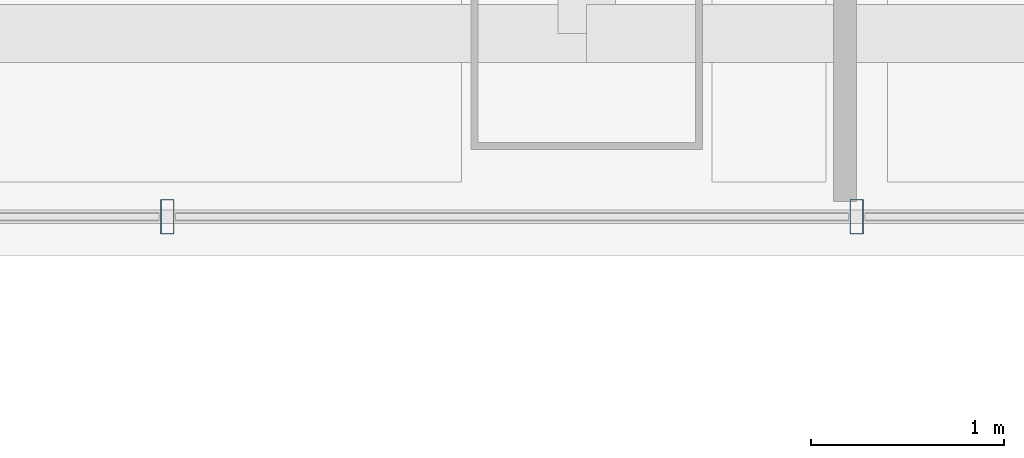
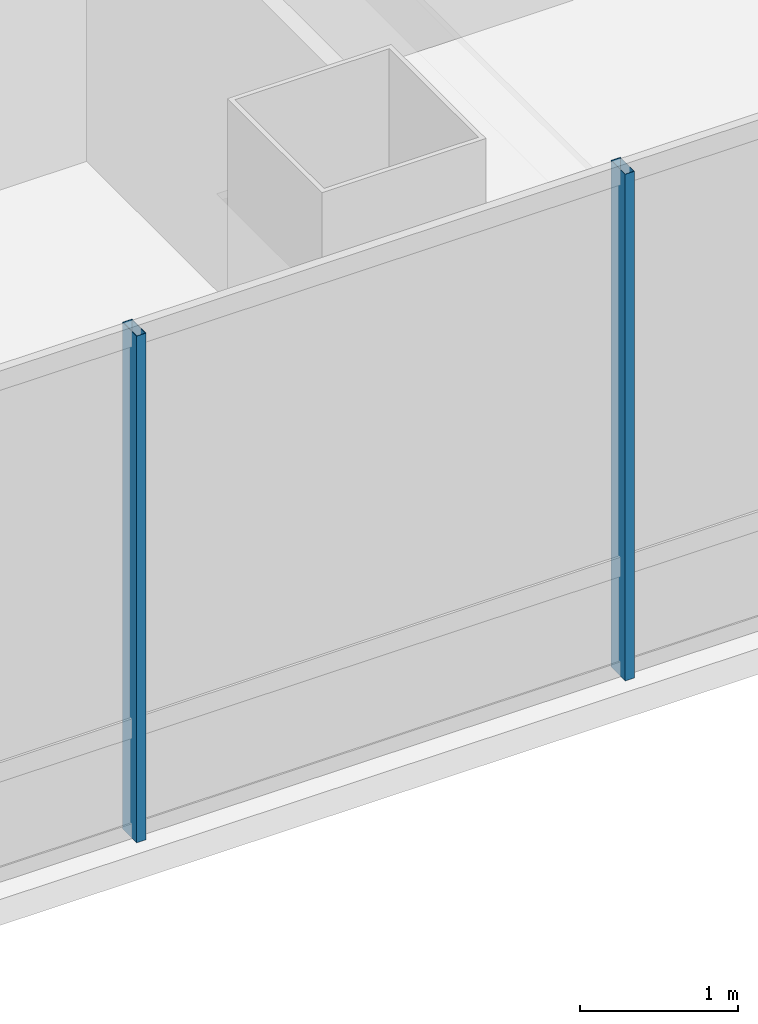
# One storey, part 6 of 51: 2 members, 1 element without a shape of its own.
"""IFC4 building model written with IfcOpenShell, lengths in metres."""

import ifcopenshell
import ifcopenshell.guid

model = None  # the IFC model being written
_history = None  # IfcOwnerHistory: only IFC2X3 demands one
_inside = {}  # id of a spatial element -> (the spatial element, [elements in it])
_under = {}  # id of a project, library or spatial element -> (it, [spatial elements below it])
_declared = {}  # id of a project -> (the project, [libraries it declares])
_typed = {}  # id of a type object -> (the type object, [elements of that type])
_made_of = {}  # id of a material, layer set ... -> (it, [elements and type objects made of it])


def new_model(schema):
    """Start an empty IFC model of exactly this schema.

    Asked for "IFC4X3", IfcOpenShell would pick the latest addendum, in which some entities
    have other attributes; the version numbers below select the first issue.
    IFC2X3 requires an IfcOwnerHistory on every rooted entity: one is made here for all.
    """
    global model, _history
    if schema == "IFC4X3":
        model = ifcopenshell.file(schema_version=(4, 3, 0, 0))
    else:
        model = ifcopenshell.file(schema=schema)
    _inside.clear()
    _under.clear()
    _declared.clear()
    _typed.clear()
    _made_of.clear()
    _history = None
    if model.schema == "IFC2X3":
        org = make("IfcOrganization", Name="unknown")
        user = make(
            "IfcPersonAndOrganization",
            ThePerson=make("IfcPerson", FamilyName="unknown"),
            TheOrganization=org,
        )
        app = make(
            "IfcApplication",
            ApplicationDeveloper=org,
            Version="unknown",
            ApplicationFullName="unknown",
            ApplicationIdentifier="unknown",
        )
        _history = make(
            "IfcOwnerHistory",
            OwningUser=user,
            OwningApplication=app,
            ChangeAction="ADDED",
            CreationDate=0,
        )
    return model


def make(cls, **values):
    """One entity of the class cls with the attributes given. An attribute that is None is left unset."""
    return model.create_entity(
        cls, **{name: value for name, value in values.items() if value is not None}
    )


def rooted(cls, **values):
    """An entity with a GlobalId (a new one), such as an element, a storey or a relation."""
    return make(cls, GlobalId=ifcopenshell.guid.new(), OwnerHistory=_history, **values)


def si_unit(unit_type, name, prefix=None):
    """IfcSIUnit, for example si_unit("LENGTHUNIT", "METRE", prefix="MILLI")."""
    return make("IfcSIUnit", UnitType=unit_type, Prefix=prefix, Name=name)


def assignment(units):
    """IfcUnitAssignment: the units of a project."""
    return None if units is None else make("IfcUnitAssignment", Units=units)


def point(xyz):
    """IfcCartesianPoint."""
    return None if xyz is None else make("IfcCartesianPoint", Coordinates=xyz)


def direction(xyz):
    """IfcDirection."""
    return None if xyz is None else make("IfcDirection", DirectionRatios=xyz)


def frame(location, z_axis=None, x_axis=None):
    """IfcAxis2Placement3D, a coordinate frame: its origin and axes. An axis left out is left unset."""
    return make(
        "IfcAxis2Placement3D",
        Location=point(location),
        Axis=direction(z_axis),
        RefDirection=direction(x_axis),
    )


def frame_2d(location, x_axis=None):
    """IfcAxis2Placement2D, a coordinate frame in the plane: its origin and x axis."""
    return make(
        "IfcAxis2Placement2D", Location=point(location), RefDirection=direction(x_axis)
    )


def origin():
    """The frame at (0, 0, 0) with its axes left unset."""
    return frame((0.0, 0.0, 0.0))


def origin_2d():
    """The frame at (0, 0) in the plane with its x axis left unset."""
    return frame_2d((0.0, 0.0))


def place(relative_to, where):
    """IfcLocalPlacement: puts the frame where relative to a parent placement (None: the world)."""
    return make(
        "IfcLocalPlacement", PlacementRelTo=relative_to, RelativePlacement=where
    )


def context(
    kind, dimensions, precision=None, world=None, true_north=None, identifier=None
):
    """IfcGeometricRepresentationContext, for example the 3D "Model" context."""
    return make(
        "IfcGeometricRepresentationContext",
        ContextIdentifier=identifier,
        ContextType=kind,
        CoordinateSpaceDimension=dimensions,
        Precision=precision,
        WorldCoordinateSystem=world,
        TrueNorth=true_north,
    )


def subcontext(parent, identifier, kind, view, scale=None):
    """IfcGeometricRepresentationSubContext, for example "Body" below "Model"."""
    return make(
        "IfcGeometricRepresentationSubContext",
        ContextIdentifier=identifier,
        ContextType=kind,
        ParentContext=parent,
        TargetScale=scale,
        TargetView=view,
    )


def project(units=None, contexts=None):
    """IfcProject with its units and contexts."""
    return rooted(
        "IfcProject",
        Name="project",
        RepresentationContexts=contexts,
        UnitsInContext=assignment(units),
    )


def spatial(cls, under=None, at=None, **own):
    """A site, building, storey or space (cls), placed at a placement, below another one or the project."""
    s = rooted(cls, ObjectPlacement=at, **own)
    if under is not None:
        _under.setdefault(under.id(), (under, []))[1].append(s)
    return s


def profile(cls, at=None, kind="AREA", **sizes):
    """A parametric profile (cls). Its sizes go by their IFC names, for example OverallWidth=200.0."""
    return make(cls, ProfileType=kind, Position=at, **sizes)


def hollow_rectangle(**sizes):
    """IfcRectangleHollowProfileDef."""
    return profile("IfcRectangleHollowProfileDef", **sizes)


def extrude(swept, where, along, depth):
    """IfcExtrudedAreaSolid: the profile swept, set in the frame where, extruded along a direction by depth."""
    return make(
        "IfcExtrudedAreaSolid",
        SweptArea=swept,
        Position=where,
        ExtrudedDirection=direction(along),
        Depth=depth,
    )


def shape(context_of_items, identifier, shape_type, items):
    """IfcShapeRepresentation: the items that make up one representation, for example the "Body"."""
    return make(
        "IfcShapeRepresentation",
        ContextOfItems=context_of_items,
        RepresentationIdentifier=identifier,
        RepresentationType=shape_type,
        Items=items,
    )


def material(Name=None, Category=None):
    """IfcMaterial."""
    return make("IfcMaterial", Name=Name, Category=Category)


def material_profile(
    of_material, cross_section, Name=None, Category=None, Priority=None
):
    """IfcMaterialProfile: a cross section and its material."""
    return make(
        "IfcMaterialProfile",
        Name=Name,
        Material=of_material,
        Profile=cross_section,
        Priority=Priority,
        Category=Category,
    )


def profile_set(profiles, Name=None, composite=None):
    """IfcMaterialProfileSet."""
    return make(
        "IfcMaterialProfileSet",
        Name=Name,
        MaterialProfiles=profiles,
        CompositeProfile=composite,
    )


def made_of(thing, what):
    """Note that an element or type object is made of a material, layer set ...; save() writes the relation."""
    if what is not None:
        _made_of.setdefault(what.id(), (what, []))[1].append(thing)
    return thing


def type_object(cls, material=None, **own):
    """A type object (cls), such as IfcWallType, which elements share."""
    return made_of(rooted(cls, **own), material)


def element(
    cls,
    number,
    at=None,
    inside=None,
    cuts=None,
    type_object=None,
    material=None,
    context=None,
    identifier="Body",
    shape_type=None,
    held_by="IfcProductDefinitionShape",
    body=None,
    shapes=None,
    **own,
):
    """One element of the class cls, such as IfcWall. Its Tag is "e" and its number.

    at: its placement. inside: the storey or other place that contains it. cuts: it is an
    opening in that element (IfcRelVoidsElement). A single representation is given by context,
    identifier, shape_type and body (its items); several are given by shapes. held_by: the class
    of the entity that holds the representations. save() writes the other relations.
    """
    e = rooted(cls, Tag="e%d" % number, ObjectPlacement=at, **own)
    if body is not None:
        shapes = [shape(context, identifier, shape_type, body)]
    if shapes is not None:
        e.Representation = make(held_by, Representations=shapes)
    if inside is not None:
        _inside.setdefault(inside.id(), (inside, []))[1].append(e)
    if cuts is not None:
        rooted(
            "IfcRelVoidsElement", RelatingBuildingElement=cuts, RelatedOpeningElement=e
        )
    if type_object is not None:
        _typed.setdefault(type_object.id(), (type_object, []))[1].append(e)
    return made_of(e, material)


def aggregate(whole, parts):
    """IfcRelAggregates: a whole, such as a stair, and the parts it consists of."""
    return rooted("IfcRelAggregates", RelatingObject=whole, RelatedObjects=parts)


def save(model, path):
    """Write the relations noted so far, then the file.

    IfcRelAggregates (storeys below a building ...), IfcRelContainedInSpatialStructure (elements
    in a storey), IfcRelDefinesByType, IfcRelAssociatesMaterial and IfcRelDeclares: one each for
    every whole, place, type object, material and project.
    """
    for whole, parts in _under.values():
        aggregate(whole, parts)
    for where, things in _inside.values():
        rooted(
            "IfcRelContainedInSpatialStructure",
            RelatedElements=things,
            RelatingStructure=where,
        )
    for kind, things in _typed.values():
        rooted("IfcRelDefinesByType", RelatedObjects=things, RelatingType=kind)
    for what, things in _made_of.values():
        rooted("IfcRelAssociatesMaterial", RelatedObjects=things, RelatingMaterial=what)
    for by, libraries in _declared.values():
        rooted("IfcRelDeclares", RelatingContext=by, RelatedDefinitions=libraries)
    model.write(path)


model = new_model("IFC4")

# Units and contexts
model_context = context("Model", 3, precision=1e-05, world=origin(), true_north=direction((0.0, 1.0)))
body_context = subcontext(model_context, "Body", "Model", "MODEL_VIEW")
ifc_project = project(units=[si_unit("LENGTHUNIT", "METRE"), si_unit("AREAUNIT", "SQUARE_METRE"), si_unit("VOLUMEUNIT", "CUBIC_METRE"), si_unit("PLANEANGLEUNIT", "RADIAN"), si_unit("MASSUNIT", "GRAM", prefix="KILO")], contexts=[model_context])

# Site, building, storey
site_placement = place(None, origin())
site = spatial("IfcSite", under=ifc_project, at=site_placement, CompositionType="ELEMENT")
building_placement = place(site_placement, origin())
building = spatial("IfcBuilding", under=site, at=building_placement, Name="Punatoya Terracotta Tower", CompositionType="ELEMENT")
storey_placement = place(building_placement, frame((0.0, 0.0, 313.199951171875)))
storey = spatial("IfcBuildingStorey", under=building, at=storey_placement, Name="L74", CompositionType="ELEMENT", Elevation=313.199951171875)

# Curtain wall, members
ifc_material_1 = material(Name="Aluminium 6063-T6 + Double Low-E Glass", Category="aluminium")
curtain_wall_type = type_object("IfcCurtainWallType", Name="CW-M3", PredefinedType="NOTDEFINED", material=ifc_material_1)
curtain_wall_placement = place(storey_placement, origin())
curtain_wall = element("IfcCurtainWall", 1, at=curtain_wall_placement, inside=storey, type_object=curtain_wall_type, Name="L74 Curtain Wall CW-L74-S01-1", PredefinedType="NOTDEFINED")
ifc_material_2 = material(Name="Aluminium 6063-T6", Category="aluminium")
ifc_material_profile = material_profile(ifc_material_2, hollow_rectangle(XDim=0.070068359375, YDim=0.179931640625, WallThickness=0.00390625, at=origin_2d()))
ifc_profile_set = profile_set([ifc_material_profile], Name="Aluminium 6063-T6")
member_type = type_object("IfcMemberType", Name="CW-MUL-M3", PredefinedType="MULLION", material=ifc_profile_set)
member_1_placement = place(storey_placement, frame((-5.97509765625, -18.449951171875, 0.0), z_axis=(0.0, 0.0, 1.0), x_axis=(1.0, 0.0, 0.0)))
member_1 = element("IfcMember", 2, at=member_1_placement, type_object=member_type, Name="CW-L74-S01-1 Mullion 03", PredefinedType="MULLION", context=body_context, shape_type="SweptSolid", body=[
    extrude(hollow_rectangle(XDim=0.070068359375, YDim=0.179931640625, WallThickness=0.00390625, at=origin_2d()), origin(), (0.0, 0.0, 1.0), 3.920166015625),
])
member_2_placement = place(storey_placement, frame((-2.39990234375, -18.449951171875, 0.0), z_axis=(0.0, 0.0, 1.0), x_axis=(1.0, 0.0, 0.0)))
member_2 = element("IfcMember", 3, at=member_2_placement, type_object=member_type, Name="CW-L74-S01-1 Mullion 04", PredefinedType="MULLION", context=body_context, shape_type="SweptSolid", body=[
    extrude(hollow_rectangle(XDim=0.070068359375, YDim=0.179931640625, WallThickness=0.00390625, at=origin_2d()), origin(), (0.0, 0.0, 1.0), 3.920166015625),
])
aggregate(curtain_wall, [member_1, member_2])

save(model, "model.ifc")
